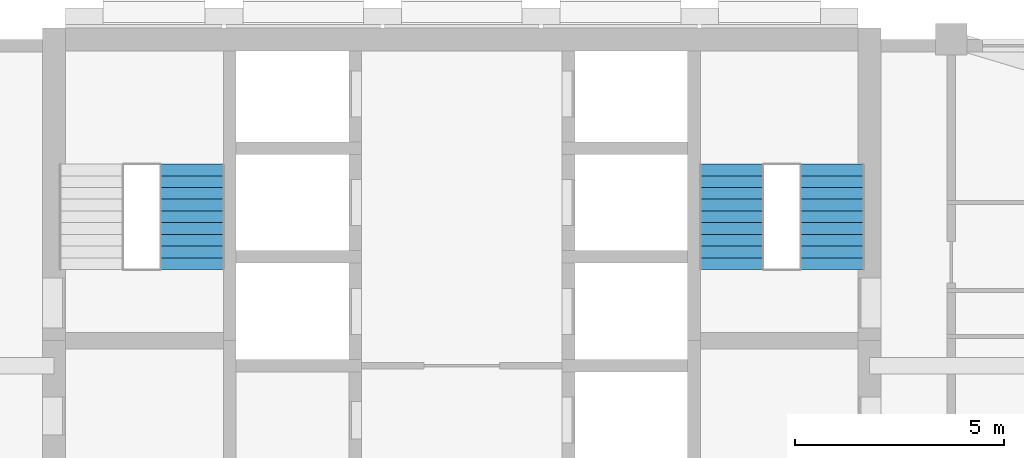
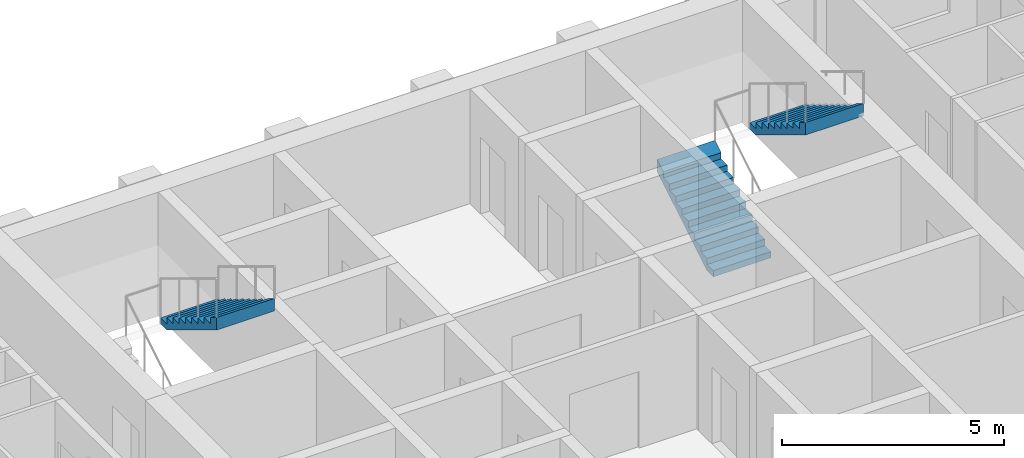
# One storey, part 11 of 13: 3 stair flights, 2 elements without a shape of their own.
"""IFC4 building model written with IfcOpenShell, lengths in metres."""

from ifc_helpers import new_model, si_unit, direction, frame, origin, place, context, subcontext, project, spatial, triangles, material, type_object, element, aggregate, save


model = new_model("IFC4")

# Units and contexts
model_context = context("Model", 3, precision=1e-05, world=origin(), true_north=direction((0.0, 1.0)))
body_context = subcontext(model_context, "Body", "Model", "MODEL_VIEW")
ifc_project = project(units=[si_unit("LENGTHUNIT", "METRE"), si_unit("AREAUNIT", "SQUARE_METRE"), si_unit("VOLUMEUNIT", "CUBIC_METRE"), si_unit("PLANEANGLEUNIT", "RADIAN"), si_unit("MASSUNIT", "GRAM", prefix="KILO")], contexts=[model_context])

# Site, building, storey
site_placement = place(None, origin())
site = spatial("IfcSite", under=ifc_project, at=site_placement, CompositionType="ELEMENT")
building_placement = place(site_placement, origin())
building = spatial("IfcBuilding", under=site, at=building_placement, Name="Ludao Terraces", CompositionType="ELEMENT")
storey_placement = place(building_placement, frame((0.0, 0.0, 162.199951171875)))
storey = spatial("IfcBuildingStorey", under=building, at=storey_placement, Name="L44", CompositionType="ELEMENT", Elevation=162.199951171875)

# Stair, stair flight
ifc_material = material(Name="Concrete C40", Category="concrete")
stair_type = type_object("IfcStairType", Name="INT Stair", PredefinedType="HALF_TURN_STAIR", material=ifc_material)
stair_1_placement = place(storey_placement, origin())
stair_1 = element("IfcStair", 1, at=stair_1_placement, inside=storey, type_object=stair_type, Name="EXIT STAIR 1", PredefinedType="HALF_TURN_STAIR")
stair_flight_type = type_object("IfcStairFlightType", Name="INT Stair flight", PredefinedType="STRAIGHT", material=ifc_material)
stair_flight_1_placement = place(storey_placement, frame((78.550048828125, 81.52001953125, 1.699951171875), z_axis=(0.0, 0.0, 1.0), x_axis=(0.0, -1.0, 0.0)))
stair_flight_1 = element("IfcStairFlight", 2, at=stair_flight_1_placement, type_object=stair_flight_type, Name="ST1 flight 2", NumberOfRisers=10, NumberOfTreads=9, PredefinedType="STRAIGHT", RiserHeight=0.17, TreadLength=0.28, context=body_context, shape_type="Tessellation", body=[
    triangles([(0.0, -0.75, 0.0), (0.0, -0.5, 0.0), (0.0, -0.25, 0.0), (0.0, 0.0, 0.0), (0.0, 0.25, 0.0), (0.0, 0.5, 0.0), (0.0, 0.75, 0.0), (0.0, -0.75, 0.169921875), (0.0, -0.5, 0.169921875), (0.0, -0.25, 0.169921875), (0.0, 0.0, 0.169921875), (0.0, 0.25, 0.169921875), (0.0, 0.5, 0.169921875), (0.0, 0.75, 0.169921875), (0.280029296875, -0.75, 0.169921875), (0.280029296875, -0.5, 0.169921875), (0.280029296875, -0.25, 0.169921875), (0.280029296875, 0.0, 0.169921875), (0.280029296875, 0.25, 0.169921875), (0.280029296875, 0.5, 0.169921875), (0.280029296875, 0.75, 0.169921875), (0.280029296875, -0.75, 0.340087890625), (0.280029296875, -0.5, 0.340087890625), (0.280029296875, -0.25, 0.340087890625), (0.280029296875, 0.0, 0.340087890625), (0.280029296875, 0.25, 0.340087890625), (0.280029296875, 0.5, 0.340087890625), (0.280029296875, 0.75, 0.340087890625), (0.56005859375, -0.75, 0.340087890625), (0.56005859375, -0.5, 0.340087890625), (0.56005859375, -0.25, 0.340087890625), (0.56005859375, 0.0, 0.340087890625), (0.56005859375, 0.25, 0.340087890625), (0.56005859375, 0.5, 0.340087890625), (0.56005859375, 0.75, 0.340087890625), (0.56005859375, -0.75, 0.510009765625), (0.56005859375, -0.5, 0.510009765625), (0.56005859375, -0.25, 0.510009765625), (0.56005859375, 0.0, 0.510009765625), (0.56005859375, 0.25, 0.510009765625), (0.56005859375, 0.5, 0.510009765625), (0.56005859375, 0.75, 0.510009765625), (0.840087890625, -0.75, 0.510009765625), (0.840087890625, -0.5, 0.510009765625), (0.840087890625, -0.25, 0.510009765625), (0.840087890625, 0.0, 0.510009765625), (0.840087890625, 0.25, 0.510009765625), (0.840087890625, 0.5, 0.510009765625), (0.840087890625, 0.75, 0.510009765625), (0.840087890625, -0.75, 0.679931640625), (0.840087890625, -0.5, 0.679931640625), (0.840087890625, -0.25, 0.679931640625), (0.840087890625, 0.0, 0.679931640625), (0.840087890625, 0.25, 0.679931640625), (0.840087890625, 0.5, 0.679931640625), (0.840087890625, 0.75, 0.679931640625), (1.1201171875, -0.75, 0.679931640625), (1.1201171875, -0.5, 0.679931640625), (1.1201171875, -0.25, 0.679931640625), (1.1201171875, 0.0, 0.679931640625), (1.1201171875, 0.25, 0.679931640625), (1.1201171875, 0.5, 0.679931640625), (1.1201171875, 0.75, 0.679931640625), (1.1201171875, -0.75, 0.85009765625), (1.1201171875, -0.5, 0.85009765625), (1.1201171875, -0.25, 0.85009765625), (1.1201171875, 0.0, 0.85009765625), (1.1201171875, 0.25, 0.85009765625), (1.1201171875, 0.5, 0.85009765625), (1.1201171875, 0.75, 0.85009765625), (1.39990234375, -0.75, 0.85009765625), (1.39990234375, -0.5, 0.85009765625), (1.39990234375, -0.25, 0.85009765625), (1.39990234375, 0.0, 0.85009765625), (1.39990234375, 0.25, 0.85009765625), (1.39990234375, 0.5, 0.85009765625), (1.39990234375, 0.75, 0.85009765625), (1.39990234375, -0.75, 1.02001953125), (1.39990234375, -0.5, 1.02001953125), (1.39990234375, -0.25, 1.02001953125), (1.39990234375, 0.0, 1.02001953125), (1.39990234375, 0.25, 1.02001953125), (1.39990234375, 0.5, 1.02001953125), (1.39990234375, 0.75, 1.02001953125), (1.679931640625, -0.75, 1.02001953125), (1.679931640625, -0.5, 1.02001953125), (1.679931640625, -0.25, 1.02001953125), (1.679931640625, 0.0, 1.02001953125), (1.679931640625, 0.25, 1.02001953125), (1.679931640625, 0.5, 1.02001953125), (1.679931640625, 0.75, 1.02001953125), (1.679931640625, -0.75, 1.18994140625), (1.679931640625, -0.5, 1.18994140625), (1.679931640625, -0.25, 1.18994140625), (1.679931640625, 0.0, 1.18994140625), (1.679931640625, 0.25, 1.18994140625), (1.679931640625, 0.5, 1.18994140625), (1.679931640625, 0.75, 1.18994140625), (1.9599609375, -0.75, 1.18994140625), (1.9599609375, -0.5, 1.18994140625), (1.9599609375, -0.25, 1.18994140625), (1.9599609375, 0.0, 1.18994140625), (1.9599609375, 0.25, 1.18994140625), (1.9599609375, 0.5, 1.18994140625), (1.9599609375, 0.75, 1.18994140625), (1.9599609375, -0.75, 1.360107421875), (1.9599609375, -0.5, 1.360107421875), (1.9599609375, -0.25, 1.360107421875), (1.9599609375, 0.0, 1.360107421875), (1.9599609375, 0.25, 1.360107421875), (1.9599609375, 0.5, 1.360107421875), (1.9599609375, 0.75, 1.360107421875), (2.239990234375, -0.75, 1.360107421875), (2.239990234375, -0.5, 1.360107421875), (2.239990234375, -0.25, 1.360107421875), (2.239990234375, 0.0, 1.360107421875), (2.239990234375, 0.25, 1.360107421875), (2.239990234375, 0.5, 1.360107421875), (2.239990234375, 0.75, 1.360107421875), (2.239990234375, -0.75, 1.530029296875), (2.239990234375, -0.5, 1.530029296875), (2.239990234375, -0.25, 1.530029296875), (2.239990234375, 0.0, 1.530029296875), (2.239990234375, 0.25, 1.530029296875), (2.239990234375, 0.5, 1.530029296875), (2.239990234375, 0.75, 1.530029296875), (2.52001953125, -0.75, 1.699951171875), (2.52001953125, -0.5, 1.699951171875), (2.52001953125, -0.25, 1.699951171875), (2.52001953125, 0.0, 1.699951171875), (2.52001953125, 0.25, 1.699951171875), (2.52001953125, 0.5, 1.699951171875), (2.52001953125, 0.75, 1.699951171875), (2.52001953125, -0.75, 1.354736328125), (2.52001953125, -0.5, 1.354736328125), (2.52001953125, -0.25, 1.354736328125), (2.52001953125, 0.0, 1.354736328125), (2.52001953125, 0.25, 1.354736328125), (2.52001953125, 0.5, 1.354736328125), (2.52001953125, 0.75, 1.354736328125), (0.288818359375, -0.75, 0.0), (0.288818359375, -0.5, 0.0), (0.288818359375, -0.25, 0.0), (0.288818359375, 0.0, 0.0), (0.288818359375, 0.25, 0.0), (0.288818359375, 0.5, 0.0), (0.288818359375, 0.75, 0.0)], [[1, 141, 134], [7, 140, 147], [134, 127, 120], [140, 126, 133], [134, 120, 113], [140, 119, 126], [134, 113, 106], [140, 112, 119], [134, 106, 99], [140, 105, 112], [99, 92, 85], [105, 91, 98], [134, 99, 85], [140, 91, 105], [85, 78, 71], [91, 77, 84], [134, 85, 71], [140, 77, 91], [71, 64, 57], [77, 63, 70], [134, 71, 57], [140, 63, 77], [57, 50, 43], [63, 49, 56], [134, 57, 43], [140, 49, 63], [43, 36, 29], [49, 35, 42], [134, 43, 29], [140, 35, 49], [29, 22, 15], [35, 21, 28], [134, 29, 15], [140, 21, 35], [1, 134, 15], [7, 21, 140], [15, 8, 1], [21, 7, 14], [1, 9, 2], [1, 8, 9], [2, 10, 3], [2, 9, 10], [3, 11, 4], [3, 10, 11], [4, 12, 5], [4, 11, 12], [5, 13, 6], [5, 12, 13], [6, 14, 7], [6, 13, 14], [8, 16, 9], [8, 15, 16], [9, 17, 10], [9, 16, 17], [10, 18, 11], [10, 17, 18], [11, 19, 12], [11, 18, 19], [12, 20, 13], [12, 19, 20], [13, 21, 14], [13, 20, 21], [15, 23, 16], [15, 22, 23], [16, 24, 17], [16, 23, 24], [17, 25, 18], [17, 24, 25], [18, 26, 19], [18, 25, 26], [19, 27, 20], [19, 26, 27], [20, 28, 21], [20, 27, 28], [22, 30, 23], [22, 29, 30], [23, 31, 24], [23, 30, 31], [24, 32, 25], [24, 31, 32], [25, 33, 26], [25, 32, 33], [26, 34, 27], [26, 33, 34], [27, 35, 28], [27, 34, 35], [29, 37, 30], [29, 36, 37], [30, 38, 31], [30, 37, 38], [31, 39, 32], [31, 38, 39], [32, 40, 33], [32, 39, 40], [33, 41, 34], [33, 40, 41], [34, 42, 35], [34, 41, 42], [36, 44, 37], [36, 43, 44], [37, 45, 38], [37, 44, 45], [38, 46, 39], [38, 45, 46], [39, 47, 40], [39, 46, 47], [40, 48, 41], [40, 47, 48], [41, 49, 42], [41, 48, 49], [43, 51, 44], [43, 50, 51], [44, 52, 45], [44, 51, 52], [45, 53, 46], [45, 52, 53], [46, 54, 47], [46, 53, 54], [47, 55, 48], [47, 54, 55], [48, 56, 49], [48, 55, 56], [50, 58, 51], [50, 57, 58], [51, 59, 52], [51, 58, 59], [52, 60, 53], [52, 59, 60], [53, 61, 54], [53, 60, 61], [54, 62, 55], [54, 61, 62], [55, 63, 56], [55, 62, 63], [57, 65, 58], [57, 64, 65], [58, 66, 59], [58, 65, 66], [59, 67, 60], [59, 66, 67], [60, 68, 61], [60, 67, 68], [61, 69, 62], [61, 68, 69], [62, 70, 63], [62, 69, 70], [64, 72, 65], [64, 71, 72], [65, 73, 66], [65, 72, 73], [66, 74, 67], [66, 73, 74], [67, 75, 68], [67, 74, 75], [68, 76, 69], [68, 75, 76], [69, 77, 70], [69, 76, 77], [71, 79, 72], [71, 78, 79], [72, 80, 73], [72, 79, 80], [73, 81, 74], [73, 80, 81], [74, 82, 75], [74, 81, 82], [75, 83, 76], [75, 82, 83], [76, 84, 77], [76, 83, 84], [78, 86, 79], [78, 85, 86], [79, 87, 80], [79, 86, 87], [80, 88, 81], [80, 87, 88], [81, 89, 82], [81, 88, 89], [82, 90, 83], [82, 89, 90], [83, 91, 84], [83, 90, 91], [85, 93, 86], [85, 92, 93], [86, 94, 87], [86, 93, 94], [87, 95, 88], [87, 94, 95], [88, 96, 89], [88, 95, 96], [89, 97, 90], [89, 96, 97], [90, 98, 91], [90, 97, 98], [92, 100, 93], [92, 99, 100], [93, 101, 94], [93, 100, 101], [94, 102, 95], [94, 101, 102], [95, 103, 96], [95, 102, 103], [96, 104, 97], [96, 103, 104], [97, 105, 98], [97, 104, 105], [99, 107, 100], [99, 106, 107], [100, 108, 101], [100, 107, 108], [101, 109, 102], [101, 108, 109], [102, 110, 103], [102, 109, 110], [103, 111, 104], [103, 110, 111], [104, 112, 105], [104, 111, 112], [106, 114, 107], [106, 113, 114], [107, 115, 108], [107, 114, 115], [108, 116, 109], [108, 115, 116], [109, 117, 110], [109, 116, 117], [110, 118, 111], [110, 117, 118], [111, 119, 112], [111, 118, 119], [113, 121, 114], [113, 120, 121], [114, 122, 115], [114, 121, 122], [115, 123, 116], [115, 122, 123], [116, 124, 117], [116, 123, 124], [117, 125, 118], [117, 124, 125], [118, 126, 119], [118, 125, 126], [120, 128, 121], [120, 127, 128], [121, 129, 122], [121, 128, 129], [122, 130, 123], [122, 129, 130], [123, 131, 124], [123, 130, 131], [124, 132, 125], [124, 131, 132], [125, 133, 126], [125, 132, 133], [127, 135, 128], [127, 134, 135], [128, 136, 129], [128, 135, 136], [129, 137, 130], [129, 136, 137], [130, 138, 131], [130, 137, 138], [131, 139, 132], [131, 138, 139], [132, 140, 133], [132, 139, 140], [134, 142, 135], [134, 141, 142], [135, 143, 136], [135, 142, 143], [136, 144, 137], [136, 143, 144], [137, 145, 138], [137, 144, 145], [138, 146, 139], [138, 145, 146], [139, 147, 140], [139, 146, 147], [141, 2, 142], [141, 1, 2], [142, 3, 143], [142, 2, 3], [143, 4, 144], [143, 3, 4], [144, 5, 145], [144, 4, 5], [145, 6, 146], [145, 5, 6], [146, 7, 147], [146, 6, 7]], closed=True),
])
aggregate(stair_1, [stair_flight_1])

# Stair, stair flights
stair_2_placement = place(storey_placement, origin())
stair_2 = element("IfcStair", 3, at=stair_2_placement, inside=storey, type_object=stair_type, Name="EXIT STAIR 2", PredefinedType="HALF_TURN_STAIR")
stair_flight_2_placement = place(storey_placement, frame((91.449951171875, 79.0, 0.0), z_axis=(0.0, 0.0, 1.0), x_axis=(0.0, 1.0, 0.0)))
stair_flight_2 = element("IfcStairFlight", 4, at=stair_flight_2_placement, type_object=stair_flight_type, Name="ST2 flight 1", NumberOfRisers=10, NumberOfTreads=9, PredefinedType="STRAIGHT", RiserHeight=0.17, TreadLength=0.28, context=body_context, shape_type="Tessellation", body=[
    triangles([(0.0, -0.75, 0.0), (0.0, -0.5, 0.0), (0.0, -0.25, 0.0), (0.0, 0.0, 0.0), (0.0, 0.25, 0.0), (0.0, 0.5, 0.0), (0.0, 0.75, 0.0), (0.0, -0.75, 0.169921875), (0.0, -0.5, 0.169921875), (0.0, -0.25, 0.169921875), (0.0, 0.0, 0.169921875), (0.0, 0.25, 0.169921875), (0.0, 0.5, 0.169921875), (0.0, 0.75, 0.169921875), (0.280029296875, -0.75, 0.169921875), (0.280029296875, -0.5, 0.169921875), (0.280029296875, -0.25, 0.169921875), (0.280029296875, 0.0, 0.169921875), (0.280029296875, 0.25, 0.169921875), (0.280029296875, 0.5, 0.169921875), (0.280029296875, 0.75, 0.169921875), (0.280029296875, -0.75, 0.340087890625), (0.280029296875, -0.5, 0.340087890625), (0.280029296875, -0.25, 0.340087890625), (0.280029296875, 0.0, 0.340087890625), (0.280029296875, 0.25, 0.340087890625), (0.280029296875, 0.5, 0.340087890625), (0.280029296875, 0.75, 0.340087890625), (0.56005859375, -0.75, 0.340087890625), (0.56005859375, -0.5, 0.340087890625), (0.56005859375, -0.25, 0.340087890625), (0.56005859375, 0.0, 0.340087890625), (0.56005859375, 0.25, 0.340087890625), (0.56005859375, 0.5, 0.340087890625), (0.56005859375, 0.75, 0.340087890625), (0.56005859375, -0.75, 0.510009765625), (0.56005859375, -0.5, 0.510009765625), (0.56005859375, -0.25, 0.510009765625), (0.56005859375, 0.0, 0.510009765625), (0.56005859375, 0.25, 0.510009765625), (0.56005859375, 0.5, 0.510009765625), (0.56005859375, 0.75, 0.510009765625), (0.840087890625, -0.75, 0.510009765625), (0.840087890625, -0.5, 0.510009765625), (0.840087890625, -0.25, 0.510009765625), (0.840087890625, 0.0, 0.510009765625), (0.840087890625, 0.25, 0.510009765625), (0.840087890625, 0.5, 0.510009765625), (0.840087890625, 0.75, 0.510009765625), (0.840087890625, -0.75, 0.679931640625), (0.840087890625, -0.5, 0.679931640625), (0.840087890625, -0.25, 0.679931640625), (0.840087890625, 0.0, 0.679931640625), (0.840087890625, 0.25, 0.679931640625), (0.840087890625, 0.5, 0.679931640625), (0.840087890625, 0.75, 0.679931640625), (1.1201171875, -0.75, 0.679931640625), (1.1201171875, -0.5, 0.679931640625), (1.1201171875, -0.25, 0.679931640625), (1.1201171875, 0.0, 0.679931640625), (1.1201171875, 0.25, 0.679931640625), (1.1201171875, 0.5, 0.679931640625), (1.1201171875, 0.75, 0.679931640625), (1.1201171875, -0.75, 0.85009765625), (1.1201171875, -0.5, 0.85009765625), (1.1201171875, -0.25, 0.85009765625), (1.1201171875, 0.0, 0.85009765625), (1.1201171875, 0.25, 0.85009765625), (1.1201171875, 0.5, 0.85009765625), (1.1201171875, 0.75, 0.85009765625), (1.39990234375, -0.75, 0.85009765625), (1.39990234375, -0.5, 0.85009765625), (1.39990234375, -0.25, 0.85009765625), (1.39990234375, 0.0, 0.85009765625), (1.39990234375, 0.25, 0.85009765625), (1.39990234375, 0.5, 0.85009765625), (1.39990234375, 0.75, 0.85009765625), (1.39990234375, -0.75, 1.02001953125), (1.39990234375, -0.5, 1.02001953125), (1.39990234375, -0.25, 1.02001953125), (1.39990234375, 0.0, 1.02001953125), (1.39990234375, 0.25, 1.02001953125), (1.39990234375, 0.5, 1.02001953125), (1.39990234375, 0.75, 1.02001953125), (1.679931640625, -0.75, 1.02001953125), (1.679931640625, -0.5, 1.02001953125), (1.679931640625, -0.25, 1.02001953125), (1.679931640625, 0.0, 1.02001953125), (1.679931640625, 0.25, 1.02001953125), (1.679931640625, 0.5, 1.02001953125), (1.679931640625, 0.75, 1.02001953125), (1.679931640625, -0.75, 1.18994140625), (1.679931640625, -0.5, 1.18994140625), (1.679931640625, -0.25, 1.18994140625), (1.679931640625, 0.0, 1.18994140625), (1.679931640625, 0.25, 1.18994140625), (1.679931640625, 0.5, 1.18994140625), (1.679931640625, 0.75, 1.18994140625), (1.9599609375, -0.75, 1.18994140625), (1.9599609375, -0.5, 1.18994140625), (1.9599609375, -0.25, 1.18994140625), (1.9599609375, 0.0, 1.18994140625), (1.9599609375, 0.25, 1.18994140625), (1.9599609375, 0.5, 1.18994140625), (1.9599609375, 0.75, 1.18994140625), (1.9599609375, -0.75, 1.360107421875), (1.9599609375, -0.5, 1.360107421875), (1.9599609375, -0.25, 1.360107421875), (1.9599609375, 0.0, 1.360107421875), (1.9599609375, 0.25, 1.360107421875), (1.9599609375, 0.5, 1.360107421875), (1.9599609375, 0.75, 1.360107421875), (2.239990234375, -0.75, 1.360107421875), (2.239990234375, -0.5, 1.360107421875), (2.239990234375, -0.25, 1.360107421875), (2.239990234375, 0.0, 1.360107421875), (2.239990234375, 0.25, 1.360107421875), (2.239990234375, 0.5, 1.360107421875), (2.239990234375, 0.75, 1.360107421875), (2.239990234375, -0.75, 1.530029296875), (2.239990234375, -0.5, 1.530029296875), (2.239990234375, -0.25, 1.530029296875), (2.239990234375, 0.0, 1.530029296875), (2.239990234375, 0.25, 1.530029296875), (2.239990234375, 0.5, 1.530029296875), (2.239990234375, 0.75, 1.530029296875), (2.52001953125, -0.75, 1.699951171875), (2.52001953125, -0.5, 1.699951171875), (2.52001953125, -0.25, 1.699951171875), (2.52001953125, 0.0, 1.699951171875), (2.52001953125, 0.25, 1.699951171875), (2.52001953125, 0.5, 1.699951171875), (2.52001953125, 0.75, 1.699951171875), (2.52001953125, -0.75, 1.354736328125), (2.52001953125, -0.5, 1.354736328125), (2.52001953125, -0.25, 1.354736328125), (2.52001953125, 0.0, 1.354736328125), (2.52001953125, 0.25, 1.354736328125), (2.52001953125, 0.5, 1.354736328125), (2.52001953125, 0.75, 1.354736328125), (0.288818359375, -0.75, 0.0), (0.288818359375, -0.5, 0.0), (0.288818359375, -0.25, 0.0), (0.288818359375, 0.0, 0.0), (0.288818359375, 0.25, 0.0), (0.288818359375, 0.5, 0.0), (0.288818359375, 0.75, 0.0)], [[1, 141, 134], [7, 140, 147], [134, 127, 120], [140, 126, 133], [134, 120, 113], [140, 119, 126], [134, 113, 106], [140, 112, 119], [134, 106, 99], [140, 105, 112], [99, 92, 85], [105, 91, 98], [134, 99, 85], [140, 91, 105], [85, 78, 71], [91, 77, 84], [134, 85, 71], [140, 77, 91], [71, 64, 57], [77, 63, 70], [134, 71, 57], [140, 63, 77], [57, 50, 43], [63, 49, 56], [134, 57, 43], [140, 49, 63], [43, 36, 29], [49, 35, 42], [134, 43, 29], [140, 35, 49], [29, 22, 15], [35, 21, 28], [134, 29, 15], [140, 21, 35], [1, 134, 15], [7, 21, 140], [15, 8, 1], [21, 7, 14], [1, 9, 2], [1, 8, 9], [2, 10, 3], [2, 9, 10], [3, 11, 4], [3, 10, 11], [4, 12, 5], [4, 11, 12], [5, 13, 6], [5, 12, 13], [6, 14, 7], [6, 13, 14], [8, 16, 9], [8, 15, 16], [9, 17, 10], [9, 16, 17], [10, 18, 11], [10, 17, 18], [11, 19, 12], [11, 18, 19], [12, 20, 13], [12, 19, 20], [13, 21, 14], [13, 20, 21], [15, 23, 16], [15, 22, 23], [16, 24, 17], [16, 23, 24], [17, 25, 18], [17, 24, 25], [18, 26, 19], [18, 25, 26], [19, 27, 20], [19, 26, 27], [20, 28, 21], [20, 27, 28], [22, 30, 23], [22, 29, 30], [23, 31, 24], [23, 30, 31], [24, 32, 25], [24, 31, 32], [25, 33, 26], [25, 32, 33], [26, 34, 27], [26, 33, 34], [27, 35, 28], [27, 34, 35], [29, 37, 30], [29, 36, 37], [30, 38, 31], [30, 37, 38], [31, 39, 32], [31, 38, 39], [32, 40, 33], [32, 39, 40], [33, 41, 34], [33, 40, 41], [34, 42, 35], [34, 41, 42], [36, 44, 37], [36, 43, 44], [37, 45, 38], [37, 44, 45], [38, 46, 39], [38, 45, 46], [39, 47, 40], [39, 46, 47], [40, 48, 41], [40, 47, 48], [41, 49, 42], [41, 48, 49], [43, 51, 44], [43, 50, 51], [44, 52, 45], [44, 51, 52], [45, 53, 46], [45, 52, 53], [46, 54, 47], [46, 53, 54], [47, 55, 48], [47, 54, 55], [48, 56, 49], [48, 55, 56], [50, 58, 51], [50, 57, 58], [51, 59, 52], [51, 58, 59], [52, 60, 53], [52, 59, 60], [53, 61, 54], [53, 60, 61], [54, 62, 55], [54, 61, 62], [55, 63, 56], [55, 62, 63], [57, 65, 58], [57, 64, 65], [58, 66, 59], [58, 65, 66], [59, 67, 60], [59, 66, 67], [60, 68, 61], [60, 67, 68], [61, 69, 62], [61, 68, 69], [62, 70, 63], [62, 69, 70], [64, 72, 65], [64, 71, 72], [65, 73, 66], [65, 72, 73], [66, 74, 67], [66, 73, 74], [67, 75, 68], [67, 74, 75], [68, 76, 69], [68, 75, 76], [69, 77, 70], [69, 76, 77], [71, 79, 72], [71, 78, 79], [72, 80, 73], [72, 79, 80], [73, 81, 74], [73, 80, 81], [74, 82, 75], [74, 81, 82], [75, 83, 76], [75, 82, 83], [76, 84, 77], [76, 83, 84], [78, 86, 79], [78, 85, 86], [79, 87, 80], [79, 86, 87], [80, 88, 81], [80, 87, 88], [81, 89, 82], [81, 88, 89], [82, 90, 83], [82, 89, 90], [83, 91, 84], [83, 90, 91], [85, 93, 86], [85, 92, 93], [86, 94, 87], [86, 93, 94], [87, 95, 88], [87, 94, 95], [88, 96, 89], [88, 95, 96], [89, 97, 90], [89, 96, 97], [90, 98, 91], [90, 97, 98], [92, 100, 93], [92, 99, 100], [93, 101, 94], [93, 100, 101], [94, 102, 95], [94, 101, 102], [95, 103, 96], [95, 102, 103], [96, 104, 97], [96, 103, 104], [97, 105, 98], [97, 104, 105], [99, 107, 100], [99, 106, 107], [100, 108, 101], [100, 107, 108], [101, 109, 102], [101, 108, 109], [102, 110, 103], [102, 109, 110], [103, 111, 104], [103, 110, 111], [104, 112, 105], [104, 111, 112], [106, 114, 107], [106, 113, 114], [107, 115, 108], [107, 114, 115], [108, 116, 109], [108, 115, 116], [109, 117, 110], [109, 116, 117], [110, 118, 111], [110, 117, 118], [111, 119, 112], [111, 118, 119], [113, 121, 114], [113, 120, 121], [114, 122, 115], [114, 121, 122], [115, 123, 116], [115, 122, 123], [116, 124, 117], [116, 123, 124], [117, 125, 118], [117, 124, 125], [118, 126, 119], [118, 125, 126], [120, 128, 121], [120, 127, 128], [121, 129, 122], [121, 128, 129], [122, 130, 123], [122, 129, 130], [123, 131, 124], [123, 130, 131], [124, 132, 125], [124, 131, 132], [125, 133, 126], [125, 132, 133], [127, 135, 128], [127, 134, 135], [128, 136, 129], [128, 135, 136], [129, 137, 130], [129, 136, 137], [130, 138, 131], [130, 137, 138], [131, 139, 132], [131, 138, 139], [132, 140, 133], [132, 139, 140], [134, 142, 135], [134, 141, 142], [135, 143, 136], [135, 142, 143], [136, 144, 137], [136, 143, 144], [137, 145, 138], [137, 144, 145], [138, 146, 139], [138, 145, 146], [139, 147, 140], [139, 146, 147], [141, 2, 142], [141, 1, 2], [142, 3, 143], [142, 2, 3], [143, 4, 144], [143, 3, 4], [144, 5, 145], [144, 4, 5], [145, 6, 146], [145, 5, 6], [146, 7, 147], [146, 6, 7]], closed=True),
])
stair_flight_3_placement = place(storey_placement, frame((93.85009765625, 81.52001953125, 1.699951171875), z_axis=(0.0, 0.0, 1.0), x_axis=(0.0, -1.0, 0.0)))
stair_flight_3 = element("IfcStairFlight", 5, at=stair_flight_3_placement, type_object=stair_flight_type, Name="ST2 flight 2", NumberOfRisers=10, NumberOfTreads=9, PredefinedType="STRAIGHT", RiserHeight=0.17, TreadLength=0.28, context=body_context, shape_type="Tessellation", body=[
    triangles([(0.0, -0.75, 0.0), (0.0, -0.5, 0.0), (0.0, -0.25, 0.0), (0.0, 0.0, 0.0), (0.0, 0.25, 0.0), (0.0, 0.5, 0.0), (0.0, 0.75, 0.0), (0.0, -0.75, 0.169921875), (0.0, -0.5, 0.169921875), (0.0, -0.25, 0.169921875), (0.0, 0.0, 0.169921875), (0.0, 0.25, 0.169921875), (0.0, 0.5, 0.169921875), (0.0, 0.75, 0.169921875), (0.280029296875, -0.75, 0.169921875), (0.280029296875, -0.5, 0.169921875), (0.280029296875, -0.25, 0.169921875), (0.280029296875, 0.0, 0.169921875), (0.280029296875, 0.25, 0.169921875), (0.280029296875, 0.5, 0.169921875), (0.280029296875, 0.75, 0.169921875), (0.280029296875, -0.75, 0.340087890625), (0.280029296875, -0.5, 0.340087890625), (0.280029296875, -0.25, 0.340087890625), (0.280029296875, 0.0, 0.340087890625), (0.280029296875, 0.25, 0.340087890625), (0.280029296875, 0.5, 0.340087890625), (0.280029296875, 0.75, 0.340087890625), (0.56005859375, -0.75, 0.340087890625), (0.56005859375, -0.5, 0.340087890625), (0.56005859375, -0.25, 0.340087890625), (0.56005859375, 0.0, 0.340087890625), (0.56005859375, 0.25, 0.340087890625), (0.56005859375, 0.5, 0.340087890625), (0.56005859375, 0.75, 0.340087890625), (0.56005859375, -0.75, 0.510009765625), (0.56005859375, -0.5, 0.510009765625), (0.56005859375, -0.25, 0.510009765625), (0.56005859375, 0.0, 0.510009765625), (0.56005859375, 0.25, 0.510009765625), (0.56005859375, 0.5, 0.510009765625), (0.56005859375, 0.75, 0.510009765625), (0.840087890625, -0.75, 0.510009765625), (0.840087890625, -0.5, 0.510009765625), (0.840087890625, -0.25, 0.510009765625), (0.840087890625, 0.0, 0.510009765625), (0.840087890625, 0.25, 0.510009765625), (0.840087890625, 0.5, 0.510009765625), (0.840087890625, 0.75, 0.510009765625), (0.840087890625, -0.75, 0.679931640625), (0.840087890625, -0.5, 0.679931640625), (0.840087890625, -0.25, 0.679931640625), (0.840087890625, 0.0, 0.679931640625), (0.840087890625, 0.25, 0.679931640625), (0.840087890625, 0.5, 0.679931640625), (0.840087890625, 0.75, 0.679931640625), (1.1201171875, -0.75, 0.679931640625), (1.1201171875, -0.5, 0.679931640625), (1.1201171875, -0.25, 0.679931640625), (1.1201171875, 0.0, 0.679931640625), (1.1201171875, 0.25, 0.679931640625), (1.1201171875, 0.5, 0.679931640625), (1.1201171875, 0.75, 0.679931640625), (1.1201171875, -0.75, 0.85009765625), (1.1201171875, -0.5, 0.85009765625), (1.1201171875, -0.25, 0.85009765625), (1.1201171875, 0.0, 0.85009765625), (1.1201171875, 0.25, 0.85009765625), (1.1201171875, 0.5, 0.85009765625), (1.1201171875, 0.75, 0.85009765625), (1.39990234375, -0.75, 0.85009765625), (1.39990234375, -0.5, 0.85009765625), (1.39990234375, -0.25, 0.85009765625), (1.39990234375, 0.0, 0.85009765625), (1.39990234375, 0.25, 0.85009765625), (1.39990234375, 0.5, 0.85009765625), (1.39990234375, 0.75, 0.85009765625), (1.39990234375, -0.75, 1.02001953125), (1.39990234375, -0.5, 1.02001953125), (1.39990234375, -0.25, 1.02001953125), (1.39990234375, 0.0, 1.02001953125), (1.39990234375, 0.25, 1.02001953125), (1.39990234375, 0.5, 1.02001953125), (1.39990234375, 0.75, 1.02001953125), (1.679931640625, -0.75, 1.02001953125), (1.679931640625, -0.5, 1.02001953125), (1.679931640625, -0.25, 1.02001953125), (1.679931640625, 0.0, 1.02001953125), (1.679931640625, 0.25, 1.02001953125), (1.679931640625, 0.5, 1.02001953125), (1.679931640625, 0.75, 1.02001953125), (1.679931640625, -0.75, 1.18994140625), (1.679931640625, -0.5, 1.18994140625), (1.679931640625, -0.25, 1.18994140625), (1.679931640625, 0.0, 1.18994140625), (1.679931640625, 0.25, 1.18994140625), (1.679931640625, 0.5, 1.18994140625), (1.679931640625, 0.75, 1.18994140625), (1.9599609375, -0.75, 1.18994140625), (1.9599609375, -0.5, 1.18994140625), (1.9599609375, -0.25, 1.18994140625), (1.9599609375, 0.0, 1.18994140625), (1.9599609375, 0.25, 1.18994140625), (1.9599609375, 0.5, 1.18994140625), (1.9599609375, 0.75, 1.18994140625), (1.9599609375, -0.75, 1.360107421875), (1.9599609375, -0.5, 1.360107421875), (1.9599609375, -0.25, 1.360107421875), (1.9599609375, 0.0, 1.360107421875), (1.9599609375, 0.25, 1.360107421875), (1.9599609375, 0.5, 1.360107421875), (1.9599609375, 0.75, 1.360107421875), (2.239990234375, -0.75, 1.360107421875), (2.239990234375, -0.5, 1.360107421875), (2.239990234375, -0.25, 1.360107421875), (2.239990234375, 0.0, 1.360107421875), (2.239990234375, 0.25, 1.360107421875), (2.239990234375, 0.5, 1.360107421875), (2.239990234375, 0.75, 1.360107421875), (2.239990234375, -0.75, 1.530029296875), (2.239990234375, -0.5, 1.530029296875), (2.239990234375, -0.25, 1.530029296875), (2.239990234375, 0.0, 1.530029296875), (2.239990234375, 0.25, 1.530029296875), (2.239990234375, 0.5, 1.530029296875), (2.239990234375, 0.75, 1.530029296875), (2.52001953125, -0.75, 1.699951171875), (2.52001953125, -0.5, 1.699951171875), (2.52001953125, -0.25, 1.699951171875), (2.52001953125, 0.0, 1.699951171875), (2.52001953125, 0.25, 1.699951171875), (2.52001953125, 0.5, 1.699951171875), (2.52001953125, 0.75, 1.699951171875), (2.52001953125, -0.75, 1.354736328125), (2.52001953125, -0.5, 1.354736328125), (2.52001953125, -0.25, 1.354736328125), (2.52001953125, 0.0, 1.354736328125), (2.52001953125, 0.25, 1.354736328125), (2.52001953125, 0.5, 1.354736328125), (2.52001953125, 0.75, 1.354736328125), (0.288818359375, -0.75, 0.0), (0.288818359375, -0.5, 0.0), (0.288818359375, -0.25, 0.0), (0.288818359375, 0.0, 0.0), (0.288818359375, 0.25, 0.0), (0.288818359375, 0.5, 0.0), (0.288818359375, 0.75, 0.0)], [[1, 141, 134], [7, 140, 147], [134, 127, 120], [140, 126, 133], [134, 120, 113], [140, 119, 126], [134, 113, 106], [140, 112, 119], [134, 106, 99], [140, 105, 112], [99, 92, 85], [105, 91, 98], [134, 99, 85], [140, 91, 105], [85, 78, 71], [91, 77, 84], [134, 85, 71], [140, 77, 91], [71, 64, 57], [77, 63, 70], [134, 71, 57], [140, 63, 77], [57, 50, 43], [63, 49, 56], [134, 57, 43], [140, 49, 63], [43, 36, 29], [49, 35, 42], [134, 43, 29], [140, 35, 49], [29, 22, 15], [35, 21, 28], [134, 29, 15], [140, 21, 35], [1, 134, 15], [7, 21, 140], [15, 8, 1], [21, 7, 14], [1, 9, 2], [1, 8, 9], [2, 10, 3], [2, 9, 10], [3, 11, 4], [3, 10, 11], [4, 12, 5], [4, 11, 12], [5, 13, 6], [5, 12, 13], [6, 14, 7], [6, 13, 14], [8, 16, 9], [8, 15, 16], [9, 17, 10], [9, 16, 17], [10, 18, 11], [10, 17, 18], [11, 19, 12], [11, 18, 19], [12, 20, 13], [12, 19, 20], [13, 21, 14], [13, 20, 21], [15, 23, 16], [15, 22, 23], [16, 24, 17], [16, 23, 24], [17, 25, 18], [17, 24, 25], [18, 26, 19], [18, 25, 26], [19, 27, 20], [19, 26, 27], [20, 28, 21], [20, 27, 28], [22, 30, 23], [22, 29, 30], [23, 31, 24], [23, 30, 31], [24, 32, 25], [24, 31, 32], [25, 33, 26], [25, 32, 33], [26, 34, 27], [26, 33, 34], [27, 35, 28], [27, 34, 35], [29, 37, 30], [29, 36, 37], [30, 38, 31], [30, 37, 38], [31, 39, 32], [31, 38, 39], [32, 40, 33], [32, 39, 40], [33, 41, 34], [33, 40, 41], [34, 42, 35], [34, 41, 42], [36, 44, 37], [36, 43, 44], [37, 45, 38], [37, 44, 45], [38, 46, 39], [38, 45, 46], [39, 47, 40], [39, 46, 47], [40, 48, 41], [40, 47, 48], [41, 49, 42], [41, 48, 49], [43, 51, 44], [43, 50, 51], [44, 52, 45], [44, 51, 52], [45, 53, 46], [45, 52, 53], [46, 54, 47], [46, 53, 54], [47, 55, 48], [47, 54, 55], [48, 56, 49], [48, 55, 56], [50, 58, 51], [50, 57, 58], [51, 59, 52], [51, 58, 59], [52, 60, 53], [52, 59, 60], [53, 61, 54], [53, 60, 61], [54, 62, 55], [54, 61, 62], [55, 63, 56], [55, 62, 63], [57, 65, 58], [57, 64, 65], [58, 66, 59], [58, 65, 66], [59, 67, 60], [59, 66, 67], [60, 68, 61], [60, 67, 68], [61, 69, 62], [61, 68, 69], [62, 70, 63], [62, 69, 70], [64, 72, 65], [64, 71, 72], [65, 73, 66], [65, 72, 73], [66, 74, 67], [66, 73, 74], [67, 75, 68], [67, 74, 75], [68, 76, 69], [68, 75, 76], [69, 77, 70], [69, 76, 77], [71, 79, 72], [71, 78, 79], [72, 80, 73], [72, 79, 80], [73, 81, 74], [73, 80, 81], [74, 82, 75], [74, 81, 82], [75, 83, 76], [75, 82, 83], [76, 84, 77], [76, 83, 84], [78, 86, 79], [78, 85, 86], [79, 87, 80], [79, 86, 87], [80, 88, 81], [80, 87, 88], [81, 89, 82], [81, 88, 89], [82, 90, 83], [82, 89, 90], [83, 91, 84], [83, 90, 91], [85, 93, 86], [85, 92, 93], [86, 94, 87], [86, 93, 94], [87, 95, 88], [87, 94, 95], [88, 96, 89], [88, 95, 96], [89, 97, 90], [89, 96, 97], [90, 98, 91], [90, 97, 98], [92, 100, 93], [92, 99, 100], [93, 101, 94], [93, 100, 101], [94, 102, 95], [94, 101, 102], [95, 103, 96], [95, 102, 103], [96, 104, 97], [96, 103, 104], [97, 105, 98], [97, 104, 105], [99, 107, 100], [99, 106, 107], [100, 108, 101], [100, 107, 108], [101, 109, 102], [101, 108, 109], [102, 110, 103], [102, 109, 110], [103, 111, 104], [103, 110, 111], [104, 112, 105], [104, 111, 112], [106, 114, 107], [106, 113, 114], [107, 115, 108], [107, 114, 115], [108, 116, 109], [108, 115, 116], [109, 117, 110], [109, 116, 117], [110, 118, 111], [110, 117, 118], [111, 119, 112], [111, 118, 119], [113, 121, 114], [113, 120, 121], [114, 122, 115], [114, 121, 122], [115, 123, 116], [115, 122, 123], [116, 124, 117], [116, 123, 124], [117, 125, 118], [117, 124, 125], [118, 126, 119], [118, 125, 126], [120, 128, 121], [120, 127, 128], [121, 129, 122], [121, 128, 129], [122, 130, 123], [122, 129, 130], [123, 131, 124], [123, 130, 131], [124, 132, 125], [124, 131, 132], [125, 133, 126], [125, 132, 133], [127, 135, 128], [127, 134, 135], [128, 136, 129], [128, 135, 136], [129, 137, 130], [129, 136, 137], [130, 138, 131], [130, 137, 138], [131, 139, 132], [131, 138, 139], [132, 140, 133], [132, 139, 140], [134, 142, 135], [134, 141, 142], [135, 143, 136], [135, 142, 143], [136, 144, 137], [136, 143, 144], [137, 145, 138], [137, 144, 145], [138, 146, 139], [138, 145, 146], [139, 147, 140], [139, 146, 147], [141, 2, 142], [141, 1, 2], [142, 3, 143], [142, 2, 3], [143, 4, 144], [143, 3, 4], [144, 5, 145], [144, 4, 5], [145, 6, 146], [145, 5, 6], [146, 7, 147], [146, 6, 7]], closed=True),
])
aggregate(stair_2, [stair_flight_2, stair_flight_3])

save(model, "model.ifc")
